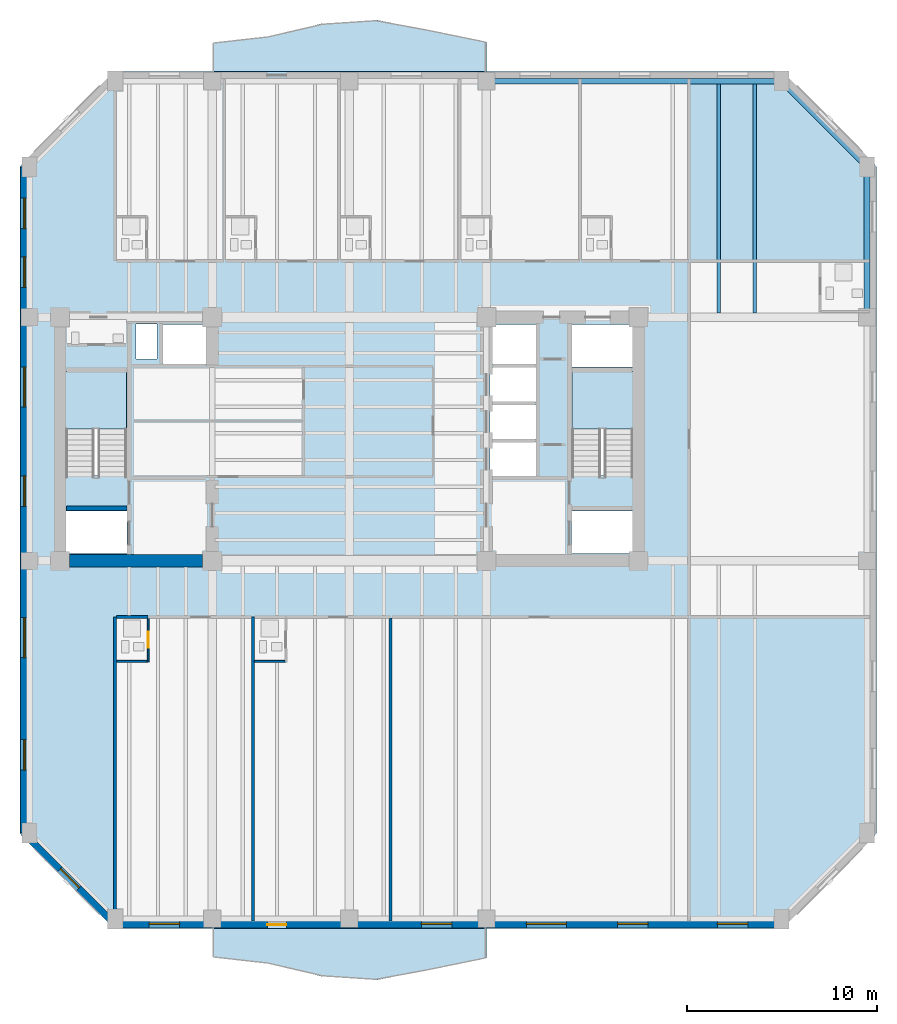
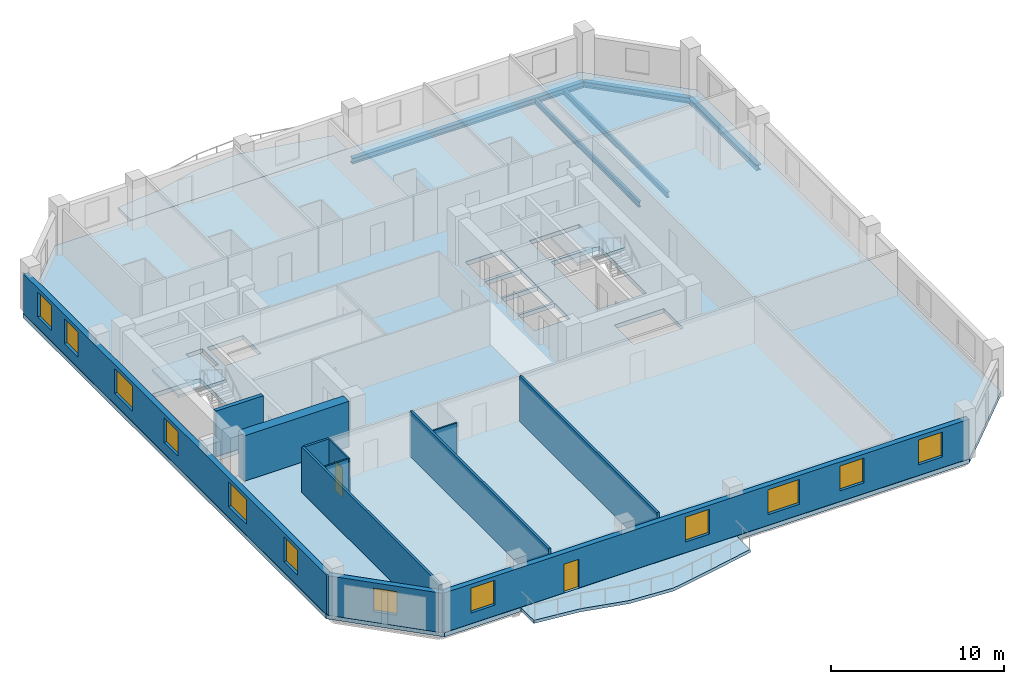
# One storey, part 2 of 9: 12 walls, 12 windows, 5 beams, 5 slabs, 2 doors, 14 openings, 2 elements without a shape of their own.
"""IFC4 building model written with IfcOpenShell, lengths in metres."""

from ifc_helpers import new_model, si_unit, direction, frame, frame_2d, origin, origin_2d, place, context, subcontext, project, spatial, polyline, rectangle, i_section, outline, extrude, material, layer, layer_set, material_profile, profile_set, type_object, element, fill, aggregate, save


model = new_model("IFC4")

# Units and contexts
model_context = context("Model", 3, precision=1e-05, world=origin(), true_north=direction((0.0, 1.0)))
body_context = subcontext(model_context, "Body", "Model", "MODEL_VIEW")
ifc_project = project(units=[si_unit("LENGTHUNIT", "METRE"), si_unit("AREAUNIT", "SQUARE_METRE"), si_unit("VOLUMEUNIT", "CUBIC_METRE"), si_unit("PLANEANGLEUNIT", "RADIAN"), si_unit("MASSUNIT", "GRAM", prefix="KILO")], contexts=[model_context])

# Site, building, storey
site_placement = place(None, origin())
site = spatial("IfcSite", under=ifc_project, at=site_placement, CompositionType="ELEMENT")
building_placement = place(site_placement, origin())
building = spatial("IfcBuilding", under=site, at=building_placement, Name="Kranthara Brick Stack", CompositionType="ELEMENT")
storey_placement = place(building_placement, frame((0.0, 0.0, 148.300048828125)))
storey = spatial("IfcBuildingStorey", under=building, at=storey_placement, Name="L37", CompositionType="ELEMENT", Elevation=148.300048828125)

# Beams
ifc_material_1 = material(Name="Steel S355", Category="steel")
ifc_material_profile_1 = material_profile(ifc_material_1, i_section(OverallWidth=0.179931640625, OverallDepth=0.39990234375, WebThickness=0.008544921875, FlangeThickness=0.013427734375, at=origin_2d()), Name="IPE 400")
ifc_profile_set_1 = profile_set([ifc_material_profile_1], Name="Steel S355")
beam_type_1 = type_object("IfcBeamType", Name="BM-JST-IPE400", PredefinedType="JOIST", material=ifc_profile_set_1)
for number, where, z_axis, x_axis, name in (
    (1, (47.39990234375, 33.824951171875, -0.5), (0.0, 1.0, 0.0), (-1.0, 0.0, 0.0), "L37 North Wing Floor Joist 073"),
    (2, (49.300048828125, 33.824951171875, -0.5), (0.0, 1.0, 0.0), (-1.0, 0.0, 0.0), "L37 North Wing Floor Joist 075"),
):
    element("IfcBeam", number, at=place(storey_placement, frame(where, z_axis=z_axis, x_axis=x_axis)), inside=storey, type_object=beam_type_1, Name=name, PredefinedType="JOIST", context=body_context, shape_type="SweptSolid", body=[
        extrude(i_section(OverallWidth=0.179931640625, OverallDepth=0.39990234375, WebThickness=0.008544921875, FlangeThickness=0.013427734375, at=origin_2d()), origin(), (0.0, 0.0, 1.0), 12.025146484375),
    ])
ifc_material_2 = material(Name="Steel S355", Category="steel")
ifc_material_profile_2 = material_profile(ifc_material_2, i_section(OverallWidth=0.300048828125, OverallDepth=0.39990234375, WebThickness=0.013427734375, FlangeThickness=0.02392578125, at=origin_2d()), Name="HEB 400")
ifc_profile_set_2 = profile_set([ifc_material_profile_2], Name="Steel S355")
beam_type_2 = type_object("IfcBeamType", Name="BM-STL-HEB400", PredefinedType="SPANDREL", material=ifc_profile_set_2)
beam_1_placement = place(storey_placement, frame((35.199951171875, 46.0, -0.5), z_axis=(1.0, 0.0, 0.0), x_axis=(0.0, 1.0, 0.0)))
element("IfcBeam", 3, at=beam_1_placement, inside=storey, type_object=beam_type_2, Name="L37 Perimeter Spandrel Beam 012", PredefinedType="SPANDREL", context=body_context, shape_type="SweptSolid", body=[
    extrude(i_section(OverallWidth=0.300048828125, OverallDepth=0.39990234375, WebThickness=0.013427734375, FlangeThickness=0.02392578125, at=origin_2d()), origin(), (0.0, 0.0, 1.0), 15.5),
])
beam_2_placement = place(storey_placement, frame((55.199951171875, 33.60009765625, -0.5), z_axis=(0.0, 1.0, 0.0), x_axis=(-1.0, 0.0, 0.0)))
element("IfcBeam", 4, at=beam_2_placement, inside=storey, type_object=beam_type_2, Name="L37 Perimeter Spandrel Beam 018", PredefinedType="SPANDREL", context=body_context, shape_type="SweptSolid", body=[
    extrude(i_section(OverallWidth=0.300048828125, OverallDepth=0.39990234375, WebThickness=0.013427734375, FlangeThickness=0.02392578125, at=origin_2d()), origin(), (0.0, 0.0, 1.0), 7.89990234375),
])
beam_3_placement = place(storey_placement, frame((50.699951171875, 46.0, -0.5), z_axis=(0.707106781187, -0.707106781187, 0.0), x_axis=(0.707106781187, 0.707106781187, 0.0)))
element("IfcBeam", 5, at=beam_3_placement, inside=storey, type_object=beam_type_2, Name="L37 Chamfer Corner Spandrel 022", PredefinedType="SPANDREL", context=body_context, shape_type="SweptSolid", body=[
    extrude(i_section(OverallWidth=0.300048828125, OverallDepth=0.39990234375, WebThickness=0.013427734375, FlangeThickness=0.02392578125, at=origin_2d()), origin(), (0.0, 0.0, 1.0), 6.364013671875),
])

# Slabs
ifc_material_3 = material(Name="Concrete C45/55", Category="concrete")
ifc_layer_1 = layer(ifc_material_3, 0.219970703125)
ifc_layer_set_1 = layer_set([ifc_layer_1], Name="Concrete C45/55")
slab_type_1 = type_object("IfcSlabType", Name="SLB-BALC-220", PredefinedType="FLOOR", material=ifc_layer_set_1)
slab_1_placement = place(storey_placement, frame((0.0, 0.0, -0.219970703125)))
element("IfcSlab", 6, at=slab_1_placement, inside=storey, type_object=slab_type_1, Name="L37 South Rippling Balcony Slab", PredefinedType="FLOOR", context=body_context, shape_type="SweptSolid", body=[
    extrude(outline(polyline([(20.800048828125, 1.5), (35.199951171875, 1.5), (35.199951171875, -0.058349609375), (32.320068359375, -0.659423828125), (29.43994140625, -1.21728515625), (26.56005859375, -1.0302734375), (23.679931640625, -0.33349609375), (20.800048828125, -0.00341796875), (20.800048828125, 1.5)])), origin(), (0.0, 0.0, 1.0), 0.219970703125),
])
slab_2_placement = place(storey_placement, frame((0.0, 0.0, -0.219970703125)))
element("IfcSlab", 7, at=slab_2_placement, inside=storey, type_object=slab_type_1, Name="L37 North Rippling Balcony Slab", PredefinedType="FLOOR", context=body_context, shape_type="SweptSolid", body=[
    extrude(outline(polyline([(35.199951171875, 46.5), (20.800048828125, 46.5), (20.800048828125, 48.00341796875), (23.679931640625, 48.33349609375), (26.56005859375, 49.0302734375), (29.43994140625, 49.21728515625), (32.320068359375, 48.659423828125), (35.199951171875, 48.058349609375), (35.199951171875, 46.5)])), origin(), (0.0, 0.0, 1.0), 0.219970703125),
])

# Stair, slab
ifc_material_4 = material(Name="Concrete C45/55", Category="concrete")
stair_type = type_object("IfcStairType", Name="ST-CORE-20R", PredefinedType="HALF_TURN_STAIR", material=ifc_material_4)
stair_1_placement = place(storey_placement, origin())
stair_1 = element("IfcStair", 8, at=stair_1_placement, inside=storey, type_object=stair_type, Name="L37 West Core Protected Exit Stair ST01", PredefinedType="HALF_TURN_STAIR")
ifc_material_5 = material(Name="Concrete C45/55", Category="concrete")
ifc_layer_2 = layer(ifc_material_5, 0.199951171875)
ifc_layer_set_2 = layer_set([ifc_layer_2], Name="Concrete C45/55")
slab_type_2 = type_object("IfcSlabType", Name="SLB-LANDING-200", PredefinedType="LANDING", material=ifc_layer_set_2)
slab_3_placement = place(storey_placement, frame((0.0, 0.0, 1.550048828125)))
slab_3 = element("IfcSlab", 9, at=slab_3_placement, type_object=slab_type_2, Name="ST01 landing 1", PredefinedType="LANDING", context=body_context, shape_type="SweptSolid", body=[
    extrude(outline(polyline([(16.300048828125, 27.719970703125), (16.300048828125, 30.75), (13.10009765625, 30.75), (13.10009765625, 27.719970703125), (16.300048828125, 27.719970703125)])), origin(), (0.0, 0.0, 1.0), 0.199951171875),
])
aggregate(stair_1, [slab_3])

stair_2_placement = place(storey_placement, origin())
stair_2 = element("IfcStair", 10, at=stair_2_placement, inside=storey, type_object=stair_type, Name="L37 East Core Protected Exit Stair ST02", PredefinedType="HALF_TURN_STAIR")
slab_4_placement = place(storey_placement, frame((0.0, 0.0, 1.550048828125)))
slab_4 = element("IfcSlab", 11, at=slab_4_placement, type_object=slab_type_2, Name="ST02 landing 1", PredefinedType="LANDING", context=body_context, shape_type="SweptSolid", body=[
    extrude(outline(polyline([(42.89990234375, 27.719970703125), (42.89990234375, 30.75), (39.699951171875, 30.75), (39.699951171875, 27.719970703125), (42.89990234375, 27.719970703125)])), origin(), (0.0, 0.0, 1.0), 0.199951171875),
])
aggregate(stair_2, [slab_4])

# Slab
ifc_material_6 = material(Name="Post-tensioned concrete C45/55", Category="concrete")
ifc_layer_3 = layer(ifc_material_6, 0.300048828125)
ifc_layer_set_3 = layer_set([ifc_layer_3], Name="Post-tensioned concrete C45/55")
slab_type_3 = type_object("IfcSlabType", Name="SLB-TWR-300", PredefinedType="FLOOR", material=ifc_layer_set_3)
slab_5_placement = place(storey_placement, frame((0.0, 0.0, -0.300048828125)))
element("IfcSlab", 12, at=slab_5_placement, inside=storey, type_object=slab_type_3, Name="L37 Structural Floor Plate", PredefinedType="FLOOR", context=body_context, shape_type="SweptSolid", body=[
    extrude(outline(polyline([(15.699951171875, 1.5), (50.699951171875, 1.5), (55.699951171875, 6.5), (55.699951171875, 41.5), (50.699951171875, 46.5), (15.699951171875, 46.5), (10.699951171875, 41.5), (10.699951171875, 6.5), (15.699951171875, 1.5)]), holes=[polyline([(13.10009765625, 25.280029296875), (16.300048828125, 25.280029296875), (16.300048828125, 30.75), (13.10009765625, 30.75), (13.10009765625, 25.280029296875)]), polyline([(39.699951171875, 25.280029296875), (42.89990234375, 25.280029296875), (42.89990234375, 30.75), (39.699951171875, 30.75), (39.699951171875, 25.280029296875)]), polyline([(13.0, 21.179931640625), (16.320068359375, 21.179931640625), (16.320068359375, 23.419921875), (13.0, 23.419921875), (13.0, 21.179931640625)]), polyline([(39.679931640625, 21.179931640625), (43.0, 21.179931640625), (43.0, 23.419921875), (39.679931640625, 23.419921875), (39.679931640625, 21.179931640625)]), polyline([(39.679931640625, 30.97998046875), (43.0, 30.97998046875), (43.0, 33.219970703125), (39.679931640625, 33.219970703125), (39.679931640625, 30.97998046875)]), polyline([(35.39990234375, 25.25), (37.800048828125, 25.25), (37.800048828125, 27.050048828125), (35.39990234375, 27.050048828125), (35.39990234375, 25.25)]), polyline([(35.39990234375, 27.199951171875), (37.800048828125, 27.199951171875), (37.800048828125, 29.0), (35.39990234375, 29.0), (35.39990234375, 27.199951171875)]), polyline([(35.39990234375, 29.14990234375), (37.800048828125, 29.14990234375), (37.800048828125, 30.949951171875), (35.39990234375, 30.949951171875), (35.39990234375, 29.14990234375)]), polyline([(18.199951171875, 31.14990234375), (20.60009765625, 31.14990234375), (20.60009765625, 33.219970703125), (18.199951171875, 33.219970703125), (18.199951171875, 31.14990234375)]), polyline([(35.39990234375, 31.14990234375), (37.800048828125, 31.14990234375), (37.800048828125, 33.219970703125), (35.39990234375, 33.219970703125), (35.39990234375, 31.14990234375)]), polyline([(16.800048828125, 31.39990234375), (17.89990234375, 31.39990234375), (17.89990234375, 33.25), (16.800048828125, 33.25), (16.800048828125, 31.39990234375)])]), origin(), (0.0, 0.0, 1.0), 0.300048828125),
])

# Wall, openings, door, windows
ifc_material_7 = material(Name="Kiln-fired clay brick masonry M15", Category="masonry")
ifc_layer_4 = layer(ifc_material_7, 0.35009765625)
ifc_layer_set_4 = layer_set([ifc_layer_4], Name="Kiln-fired clay brick masonry M15")
wall_type_1 = type_object("IfcWallType", Name="WL-BRK-SPND-350", PredefinedType="STANDARD", material=ifc_layer_set_4)
wall_1_placement = place(storey_placement, frame((50.699951171875, 1.695068359375, 0.0), z_axis=(0.0, 0.0, 1.0), x_axis=(-1.0, 0.0, 0.0)))
wall_1 = element("IfcWall", 13, at=wall_1_placement, inside=storey, type_object=wall_type_1, Name="L37 Exterior Brick Facade Wall SOUTH 1", PredefinedType="STANDARD", context=body_context, shape_type="SweptSolid", body=[
    extrude(rectangle(XDim=35.0, YDim=0.35009765625, at=frame_2d((17.5, 0.0))), origin(), (0.0, 0.0, 1.0), 2.784912109375),
])
opening_1_placement = place(wall_1_placement, frame((26.0, 0.0, 0.0)))
opening_1 = element("IfcOpeningElement", 14, at=opening_1_placement, cuts=wall_1, Name="Opening D03", PredefinedType="OPENING", context=body_context, shape_type="SweptSolid", body=[
    extrude(rectangle(XDim=1.0, YDim=2.02001953125, at=frame_2d((0.5, 1.010009765625))), frame((0.0, 0.18505859375, 0.0), z_axis=(0.0, -1.0, 0.0), x_axis=(1.0, 0.0, 0.0)), (0.0, 0.0, 1.0), 0.3701171875),
])
opening_2_placement = place(wall_1_placement, frame((1.762939453125, 0.0, 0.75)))
opening_2 = element("IfcOpeningElement", 15, at=opening_2_placement, cuts=wall_1, Name="Opening WN04", PredefinedType="OPENING", context=body_context, shape_type="SweptSolid", body=[
    extrude(rectangle(XDim=1.60009765625, YDim=1.75, at=frame_2d((0.800048828125, 0.875))), frame((0.0, 0.18505859375, 0.0), z_axis=(0.0, -1.0, 0.0), x_axis=(1.0, 0.0, 0.0)), (0.0, 0.0, 1.0), 0.3701171875),
])
opening_3_placement = place(wall_1_placement, frame((7.007080078125, 0.0, 0.75)))
opening_3 = element("IfcOpeningElement", 16, at=opening_3_placement, cuts=wall_1, Name="Opening WN04", PredefinedType="OPENING", context=body_context, shape_type="SweptSolid", body=[
    extrude(rectangle(XDim=1.60009765625, YDim=1.75, at=frame_2d((0.800048828125, 0.875))), frame((0.0, 0.18505859375, 0.0), z_axis=(0.0, -1.0, 0.0), x_axis=(1.0, 0.0, 0.0)), (0.0, 0.0, 1.0), 0.3701171875),
])
opening_4_placement = place(wall_1_placement, frame((11.29296875, 0.0, 0.75)))
opening_4 = element("IfcOpeningElement", 17, at=opening_4_placement, cuts=wall_1, Name="Opening WN05", PredefinedType="OPENING", context=body_context, shape_type="SweptSolid", body=[
    extrude(rectangle(XDim=2.10009765625, YDim=1.75, at=frame_2d((1.050048828125, 0.875))), frame((0.0, 0.18505859375, 0.0), z_axis=(0.0, -1.0, 0.0), x_axis=(1.0, 0.0, 0.0)), (0.0, 0.0, 1.0), 0.3701171875),
])
opening_5_placement = place(wall_1_placement, frame((17.31396484375, 0.0, 0.75)))
opening_5 = element("IfcOpeningElement", 18, at=opening_5_placement, cuts=wall_1, Name="Opening WN04", PredefinedType="OPENING", context=body_context, shape_type="SweptSolid", body=[
    extrude(rectangle(XDim=1.60009765625, YDim=1.75, at=frame_2d((0.800048828125, 0.875))), frame((0.0, 0.18505859375, 0.0), z_axis=(0.0, -1.0, 0.0), x_axis=(1.0, 0.0, 0.0)), (0.0, 0.0, 1.0), 0.3701171875),
])
opening_6_placement = place(wall_1_placement, frame((31.613037109375, 0.0, 0.75)))
opening_6 = element("IfcOpeningElement", 19, at=opening_6_placement, cuts=wall_1, Name="Opening WN04", PredefinedType="OPENING", context=body_context, shape_type="SweptSolid", body=[
    extrude(rectangle(XDim=1.60009765625, YDim=1.75, at=frame_2d((0.800048828125, 0.875))), frame((0.0, 0.18505859375, 0.0), z_axis=(0.0, -1.0, 0.0), x_axis=(1.0, 0.0, 0.0)), (0.0, 0.0, 1.0), 0.3701171875),
])
ifc_material_8 = material(Name="Bronze anodised aluminium and laminated glass", Category="aluminium")
door_type_1 = type_object("IfcDoorType", Name="DR-BALC-1000", OperationType="NOTDEFINED", PredefinedType="DOOR", material=ifc_material_8)
door_1_placement = place(opening_1_placement, origin())
door_1 = element("IfcDoor", 20, at=door_1_placement, inside=storey, type_object=door_type_1, Name="L37 South Balcony Terrace Door", OperationType="SINGLE_SWING_LEFT", OverallHeight=2.02001953125, OverallWidth=1.0, PredefinedType="DOOR", context=body_context, shape_type="SweptSolid", body=[
    extrude(rectangle(XDim=1.0, YDim=2.02001953125, at=frame_2d((0.5, 1.010009765625))), frame((0.0, 0.02490234375, 0.0), z_axis=(0.0, -1.0, 0.0), x_axis=(1.0, 0.0, 0.0)), (0.0, 0.0, 1.0), 0.050048828125),
])
fill(opening_1, door_1)
ifc_material_9 = material(Name="Double-glazed low-E solar control glass", Category="glass")
window_type_1 = type_object("IfcWindowType", Name="WN-HTL-1600x1850", PartitioningType="DOUBLE_PANEL_VERTICAL", PredefinedType="WINDOW", material=ifc_material_9)
window_1_placement = place(opening_2_placement, origin())
window_1 = element("IfcWindow", 21, at=window_1_placement, inside=storey, type_object=window_type_1, Name="L37 South Deep-Set Brick Window 01", OverallHeight=1.75, OverallWidth=1.60009765625, PartitioningType="SINGLE_PANEL", PredefinedType="WINDOW", context=body_context, shape_type="SweptSolid", body=[
    extrude(rectangle(XDim=1.60009765625, YDim=1.75, at=frame_2d((0.800048828125, 0.875))), frame((0.0, -0.010009765625, 0.0), z_axis=(0.0, -1.0, 0.0), x_axis=(1.0, 0.0, 0.0)), (0.0, 0.0, 1.0), 0.06005859375),
])
fill(opening_2, window_1)
window_2_placement = place(opening_3_placement, origin())
window_2 = element("IfcWindow", 22, at=window_2_placement, inside=storey, type_object=window_type_1, Name="L37 South Deep-Set Brick Window 02", OverallHeight=1.75, OverallWidth=1.60009765625, PartitioningType="SINGLE_PANEL", PredefinedType="WINDOW", context=body_context, shape_type="SweptSolid", body=[
    extrude(rectangle(XDim=1.60009765625, YDim=1.75, at=frame_2d((0.800048828125, 0.875))), frame((0.0, -0.010009765625, 0.0), z_axis=(0.0, -1.0, 0.0), x_axis=(1.0, 0.0, 0.0)), (0.0, 0.0, 1.0), 0.06005859375),
])
fill(opening_3, window_2)
window_3_placement = place(opening_5_placement, origin())
window_3 = element("IfcWindow", 23, at=window_3_placement, inside=storey, type_object=window_type_1, Name="L37 South Deep-Set Brick Window 04", OverallHeight=1.75, OverallWidth=1.60009765625, PartitioningType="SINGLE_PANEL", PredefinedType="WINDOW", context=body_context, shape_type="SweptSolid", body=[
    extrude(rectangle(XDim=1.60009765625, YDim=1.75, at=frame_2d((0.800048828125, 0.875))), frame((0.0, -0.010009765625, 0.0), z_axis=(0.0, -1.0, 0.0), x_axis=(1.0, 0.0, 0.0)), (0.0, 0.0, 1.0), 0.06005859375),
])
fill(opening_5, window_3)
window_4_placement = place(opening_6_placement, origin())
window_4 = element("IfcWindow", 24, at=window_4_placement, inside=storey, type_object=window_type_1, Name="L37 South Deep-Set Brick Window 05", OverallHeight=1.75, OverallWidth=1.60009765625, PartitioningType="SINGLE_PANEL", PredefinedType="WINDOW", context=body_context, shape_type="SweptSolid", body=[
    extrude(rectangle(XDim=1.60009765625, YDim=1.75, at=frame_2d((0.800048828125, 0.875))), frame((0.0, -0.010009765625, 0.0), z_axis=(0.0, -1.0, 0.0), x_axis=(1.0, 0.0, 0.0)), (0.0, 0.0, 1.0), 0.06005859375),
])
fill(opening_6, window_4)
ifc_material_10 = material(Name="Double-glazed low-E solar control glass", Category="glass")
window_type_2 = type_object("IfcWindowType", Name="WN-HTL-2100x1850", PartitioningType="DOUBLE_PANEL_VERTICAL", PredefinedType="WINDOW", material=ifc_material_10)
window_5_placement = place(opening_4_placement, origin())
window_5 = element("IfcWindow", 25, at=window_5_placement, inside=storey, type_object=window_type_2, Name="L37 South Deep-Set Brick Window 03", OverallHeight=1.75, OverallWidth=2.10009765625, PartitioningType="SINGLE_PANEL", PredefinedType="WINDOW", context=body_context, shape_type="SweptSolid", body=[
    extrude(rectangle(XDim=2.10009765625, YDim=1.75, at=frame_2d((1.050048828125, 0.875))), frame((0.0, -0.010009765625, 0.0), z_axis=(0.0, -1.0, 0.0), x_axis=(1.0, 0.0, 0.0)), (0.0, 0.0, 1.0), 0.06005859375),
])
fill(opening_4, window_5)

# Wall, opening, window
wall_2_placement = place(storey_placement, frame((15.699951171875, 1.695068359375, 0.0), z_axis=(0.0, 0.0, 1.0), x_axis=(-0.707106781187, 0.707106781187, 0.0)))
wall_2 = element("IfcWall", 26, at=wall_2_placement, inside=storey, type_object=wall_type_1, Name="L37 Exterior Brick Facade Wall SW 1", PredefinedType="STANDARD", context=body_context, shape_type="SweptSolid", body=[
    extrude(rectangle(XDim=6.795166015625, YDim=0.35009765625, at=frame_2d((3.3974609375, 0.0))), origin(), (0.0, 0.0, 1.0), 2.784912109375),
])
opening_7_placement = place(wall_2_placement, frame((2.697998046875, 0.0, 0.75)))
opening_7 = element("IfcOpeningElement", 27, at=opening_7_placement, cuts=wall_2, Name="Opening WN10", PredefinedType="OPENING", context=body_context, shape_type="SweptSolid", body=[
    extrude(rectangle(XDim=1.39990234375, YDim=1.64990234375, at=frame_2d((0.699951171875, 0.824951171875))), frame((0.0, 0.18505859375, 0.0), z_axis=(0.0, -1.0, 0.0), x_axis=(1.0, 0.0, 0.0)), (0.0, 0.0, 1.0), 0.3701171875),
])
ifc_material_11 = material(Name="Double-glazed low-E solar control glass", Category="glass")
window_type_3 = type_object("IfcWindowType", Name="WN-CHM-1400x1750", PartitioningType="SINGLE_PANEL", PredefinedType="WINDOW", material=ifc_material_11)
window_6_placement = place(opening_7_placement, origin())
window_6 = element("IfcWindow", 28, at=window_6_placement, inside=storey, type_object=window_type_3, Name="L37 SW Chamfer Corner Window", OverallHeight=1.64990234375, OverallWidth=1.39990234375, PartitioningType="SINGLE_PANEL", PredefinedType="WINDOW", context=body_context, shape_type="SweptSolid", body=[
    extrude(rectangle(XDim=1.39990234375, YDim=1.64990234375, at=frame_2d((0.699951171875, 0.824951171875))), frame((0.0, -0.010009765625, 0.0), z_axis=(0.0, -1.0, 0.0), x_axis=(1.0, 0.0, 0.0)), (0.0, 0.0, 1.0), 0.06005859375),
])
fill(opening_7, window_6)

# Wall, openings, windows
wall_3_placement = place(storey_placement, frame((10.89501953125, 6.5, 0.0), z_axis=(0.0, 0.0, 1.0), x_axis=(0.0, 1.0, 0.0)))
wall_3 = element("IfcWall", 29, at=wall_3_placement, inside=storey, type_object=wall_type_1, Name="L37 Exterior Brick Facade Wall WEST 1", PredefinedType="STANDARD", context=body_context, shape_type="SweptSolid", body=[
    extrude(rectangle(XDim=35.0, YDim=0.35009765625, at=frame_2d((17.5, 0.0))), origin(), (0.0, 0.0, 1.0), 2.784912109375),
])
opening_8_placement = place(wall_3_placement, frame((3.31005859375, 0.0, 0.75)))
opening_8 = element("IfcOpeningElement", 30, at=opening_8_placement, cuts=wall_3, Name="Opening WN04", PredefinedType="OPENING", context=body_context, shape_type="SweptSolid", body=[
    extrude(rectangle(XDim=1.60009765625, YDim=1.75, at=frame_2d((0.800048828125, 0.875))), frame((0.0, 0.18505859375, 0.0), z_axis=(0.0, -1.0, 0.0), x_axis=(1.0, 0.0, 0.0)), (0.0, 0.0, 1.0), 0.3701171875),
])
opening_9_placement = place(wall_3_placement, frame((9.216064453125, 0.0, 0.75)))
opening_9 = element("IfcOpeningElement", 31, at=opening_9_placement, cuts=wall_3, Name="Opening WN05", PredefinedType="OPENING", context=body_context, shape_type="SweptSolid", body=[
    extrude(rectangle(XDim=2.10009765625, YDim=1.75, at=frame_2d((1.050048828125, 0.875))), frame((0.0, 0.18505859375, 0.0), z_axis=(0.0, -1.0, 0.0), x_axis=(1.0, 0.0, 0.0)), (0.0, 0.0, 1.0), 0.3701171875),
])
opening_10_placement = place(wall_3_placement, frame((17.1640625, 0.0, 0.75)))
opening_10 = element("IfcOpeningElement", 32, at=opening_10_placement, cuts=wall_3, Name="Opening WN04", PredefinedType="OPENING", context=body_context, shape_type="SweptSolid", body=[
    extrude(rectangle(XDim=1.60009765625, YDim=1.75, at=frame_2d((0.800048828125, 0.875))), frame((0.0, 0.18505859375, 0.0), z_axis=(0.0, -1.0, 0.0), x_axis=(1.0, 0.0, 0.0)), (0.0, 0.0, 1.0), 0.3701171875),
])
opening_11_placement = place(wall_3_placement, frame((22.385986328125, 0.0, 0.75)))
opening_11 = element("IfcOpeningElement", 33, at=opening_11_placement, cuts=wall_3, Name="Opening WN05", PredefinedType="OPENING", context=body_context, shape_type="SweptSolid", body=[
    extrude(rectangle(XDim=2.10009765625, YDim=1.75, at=frame_2d((1.050048828125, 0.875))), frame((0.0, 0.18505859375, 0.0), z_axis=(0.0, -1.0, 0.0), x_axis=(1.0, 0.0, 0.0)), (0.0, 0.0, 1.0), 0.3701171875),
])
opening_12_placement = place(wall_3_placement, frame((28.6708984375, 0.0, 0.75)))
opening_12 = element("IfcOpeningElement", 34, at=opening_12_placement, cuts=wall_3, Name="Opening WN04", PredefinedType="OPENING", context=body_context, shape_type="SweptSolid", body=[
    extrude(rectangle(XDim=1.60009765625, YDim=1.75, at=frame_2d((0.800048828125, 0.875))), frame((0.0, 0.18505859375, 0.0), z_axis=(0.0, -1.0, 0.0), x_axis=(1.0, 0.0, 0.0)), (0.0, 0.0, 1.0), 0.3701171875),
])
opening_13_placement = place(wall_3_placement, frame((31.7548828125, 0.0, 0.75)))
opening_13 = element("IfcOpeningElement", 35, at=opening_13_placement, cuts=wall_3, Name="Opening WN04", PredefinedType="OPENING", context=body_context, shape_type="SweptSolid", body=[
    extrude(rectangle(XDim=1.60009765625, YDim=1.75, at=frame_2d((0.800048828125, 0.875))), frame((0.0, 0.18505859375, 0.0), z_axis=(0.0, -1.0, 0.0), x_axis=(1.0, 0.0, 0.0)), (0.0, 0.0, 1.0), 0.3701171875),
])
window_7_placement = place(opening_8_placement, origin())
window_7 = element("IfcWindow", 36, at=window_7_placement, inside=storey, type_object=window_type_1, Name="L37 West Deep-Set Brick Window 01", OverallHeight=1.75, OverallWidth=1.60009765625, PartitioningType="SINGLE_PANEL", PredefinedType="WINDOW", context=body_context, shape_type="SweptSolid", body=[
    extrude(rectangle(XDim=1.60009765625, YDim=1.75, at=frame_2d((0.800048828125, 0.875))), frame((0.0, -0.010009765625, 0.0), z_axis=(0.0, -1.0, 0.0), x_axis=(1.0, 0.0, 0.0)), (0.0, 0.0, 1.0), 0.06005859375),
])
fill(opening_8, window_7)
window_8_placement = place(opening_10_placement, origin())
window_8 = element("IfcWindow", 37, at=window_8_placement, inside=storey, type_object=window_type_1, Name="L37 West Deep-Set Brick Window 03", OverallHeight=1.75, OverallWidth=1.60009765625, PartitioningType="SINGLE_PANEL", PredefinedType="WINDOW", context=body_context, shape_type="SweptSolid", body=[
    extrude(rectangle(XDim=1.60009765625, YDim=1.75, at=frame_2d((0.800048828125, 0.875))), frame((0.0, -0.010009765625, 0.0), z_axis=(0.0, -1.0, 0.0), x_axis=(1.0, 0.0, 0.0)), (0.0, 0.0, 1.0), 0.06005859375),
])
fill(opening_10, window_8)
window_9_placement = place(opening_12_placement, origin())
window_9 = element("IfcWindow", 38, at=window_9_placement, inside=storey, type_object=window_type_1, Name="L37 West Deep-Set Brick Window 05", OverallHeight=1.75, OverallWidth=1.60009765625, PartitioningType="SINGLE_PANEL", PredefinedType="WINDOW", context=body_context, shape_type="SweptSolid", body=[
    extrude(rectangle(XDim=1.60009765625, YDim=1.75, at=frame_2d((0.800048828125, 0.875))), frame((0.0, -0.010009765625, 0.0), z_axis=(0.0, -1.0, 0.0), x_axis=(1.0, 0.0, 0.0)), (0.0, 0.0, 1.0), 0.06005859375),
])
fill(opening_12, window_9)
window_10_placement = place(opening_13_placement, origin())
window_10 = element("IfcWindow", 39, at=window_10_placement, inside=storey, type_object=window_type_1, Name="L37 West Deep-Set Brick Window 06", OverallHeight=1.75, OverallWidth=1.60009765625, PartitioningType="SINGLE_PANEL", PredefinedType="WINDOW", context=body_context, shape_type="SweptSolid", body=[
    extrude(rectangle(XDim=1.60009765625, YDim=1.75, at=frame_2d((0.800048828125, 0.875))), frame((0.0, -0.010009765625, 0.0), z_axis=(0.0, -1.0, 0.0), x_axis=(1.0, 0.0, 0.0)), (0.0, 0.0, 1.0), 0.06005859375),
])
fill(opening_13, window_10)
window_11_placement = place(opening_9_placement, origin())
window_11 = element("IfcWindow", 40, at=window_11_placement, inside=storey, type_object=window_type_2, Name="L37 West Deep-Set Brick Window 02", OverallHeight=1.75, OverallWidth=2.10009765625, PartitioningType="SINGLE_PANEL", PredefinedType="WINDOW", context=body_context, shape_type="SweptSolid", body=[
    extrude(rectangle(XDim=2.10009765625, YDim=1.75, at=frame_2d((1.050048828125, 0.875))), frame((0.0, -0.010009765625, 0.0), z_axis=(0.0, -1.0, 0.0), x_axis=(1.0, 0.0, 0.0)), (0.0, 0.0, 1.0), 0.06005859375),
])
fill(opening_9, window_11)
window_12_placement = place(opening_11_placement, origin())
window_12 = element("IfcWindow", 41, at=window_12_placement, inside=storey, type_object=window_type_2, Name="L37 West Deep-Set Brick Window 04", OverallHeight=1.75, OverallWidth=2.10009765625, PartitioningType="SINGLE_PANEL", PredefinedType="WINDOW", context=body_context, shape_type="SweptSolid", body=[
    extrude(rectangle(XDim=2.10009765625, YDim=1.75, at=frame_2d((1.050048828125, 0.875))), frame((0.0, -0.010009765625, 0.0), z_axis=(0.0, -1.0, 0.0), x_axis=(1.0, 0.0, 0.0)), (0.0, 0.0, 1.0), 0.06005859375),
])
fill(opening_11, window_12)

# Walls
ifc_material_12 = material(Name="Concrete C50/60", Category="concrete")
ifc_layer_5 = layer(ifc_material_12, 0.25)
ifc_layer_set_5 = layer_set([ifc_layer_5], Name="Concrete C50/60")
wall_type_2 = type_object("IfcWallType", Name="WL-CORE-250", PredefinedType="SHEAR", material=ifc_layer_set_5)
wall_4_placement = place(storey_placement, frame((13.135009765625, 23.570068359375, 0.0), z_axis=(0.0, 0.0, 1.0), x_axis=(1.0, 0.0, 0.0)))
element("IfcWall", 42, at=wall_4_placement, inside=storey, type_object=wall_type_2, Name="L37 West Stairwell Bearing Wall WFF", PredefinedType="SHEAR", context=body_context, shape_type="SweptSolid", body=[
    extrude(rectangle(XDim=3.175048828125, YDim=0.25, at=frame_2d((1.58740234375, 0.0))), origin(), (0.0, 0.0, 1.0), 3.199951171875),
])
ifc_material_13 = material(Name="Concrete C60/75", Category="concrete")
ifc_layer_6 = layer(ifc_material_13, 0.64990234375)
ifc_layer_set_6 = layer_set([ifc_layer_6], Name="Concrete C60/75")
wall_type_3 = type_object("IfcWallType", Name="WL-CORE-650", PredefinedType="SHEAR", material=ifc_layer_set_6)
wall_5_placement = place(storey_placement, frame((13.304931640625, 20.800048828125, 0.0), z_axis=(0.0, 0.0, 1.0), x_axis=(1.0, 0.0, 0.0)))
element("IfcWall", 43, at=wall_5_placement, inside=storey, type_object=wall_type_3, Name="L37 West Core Shear Wall South", PredefinedType="SHEAR", context=body_context, shape_type="SweptSolid", body=[
    extrude(rectangle(XDim=6.989990234375, YDim=0.64990234375, at=frame_2d((3.4951171875, 0.0))), origin(), (0.0, 0.0, 1.0), 3.199951171875),
])

# Wall, opening, door
ifc_material_14 = material(Name="Moisture-resistant wet-room partition", Category="other")
ifc_layer_7 = layer(ifc_material_14, 0.10009765625)
ifc_layer_set_7 = layer_set([ifc_layer_7], Name="Moisture-resistant wet-room partition")
wall_type_4 = type_object("IfcWallType", Name="WL-PART-100", PredefinedType="PARTITIONING", material=ifc_layer_set_7)
wall_6_placement = place(storey_placement, frame((17.4365234375, 15.52001953125, 0.0), z_axis=(0.0, 0.0, 1.0), x_axis=(0.0, 1.0, 0.0)))
wall_6 = element("IfcWall", 44, at=wall_6_placement, inside=storey, type_object=wall_type_4, Name="L37 Interior Partition 013", PredefinedType="PARTITIONING", context=body_context, shape_type="SweptSolid", body=[
    extrude(rectangle(XDim=2.25, YDim=0.10009765625, at=frame_2d((1.125, 0.0))), origin(), (0.0, 0.0, 1.0), 3.199951171875),
])
opening_14_placement = place(wall_6_placement, frame((0.719970703125, 0.0, 0.0)))
opening_14 = element("IfcOpeningElement", 45, at=opening_14_placement, cuts=wall_6, Name="Opening D17", PredefinedType="OPENING", context=body_context, shape_type="SweptSolid", body=[
    extrude(rectangle(XDim=0.85009765625, YDim=2.050048828125, at=frame_2d((0.425048828125, 1.02490234375))), frame((0.0, 0.06005859375, 0.0), z_axis=(0.0, -1.0, 0.0), x_axis=(1.0, 0.0, 0.0)), (0.0, 0.0, 1.0), 0.1201171875),
])
ifc_material_15 = material(Name="Solid-core hardwood timber leaf in steel frame", Category="steel")
door_type_2 = type_object("IfcDoorType", Name="DR-WET-850", OperationType="NOTDEFINED", PredefinedType="DOOR", material=ifc_material_15)
door_2_placement = place(opening_14_placement, origin())
door_2 = element("IfcDoor", 46, at=door_2_placement, inside=storey, type_object=door_type_2, Name="L37 Key 01 En-Suite Door 07", OperationType="SINGLE_SWING_LEFT", OverallHeight=2.050048828125, OverallWidth=0.85009765625, PredefinedType="DOOR", context=body_context, shape_type="SweptSolid", body=[
    extrude(rectangle(XDim=0.85009765625, YDim=2.050048828125, at=frame_2d((0.425048828125, 1.02490234375))), frame((0.0, 0.02490234375, 0.0), z_axis=(0.0, -1.0, 0.0), x_axis=(1.0, 0.0, 0.0)), (0.0, 0.0, 1.0), 0.050048828125),
])
fill(opening_14, door_2)

# Walls
for number, where, z_axis, x_axis, name in (
    (47, (15.780029296875, 15.52001953125, 0.0), (0.0, 0.0, 1.0), (1.0, 0.0, 0.0), "L37 Interior Partition 014"),
    (48, (23.01611328125, 15.52001953125, 0.0), (0.0, 0.0, 1.0), (1.0, 0.0, 0.0), "L37 Interior Partition 018"),
):
    element("IfcWall", number, at=place(storey_placement, frame(where, z_axis=z_axis, x_axis=x_axis)), inside=storey, type_object=wall_type_4, Name=name, PredefinedType="PARTITIONING", context=body_context, shape_type="SweptSolid", body=[
        extrude(rectangle(XDim=1.6015625, YDim=0.10009765625, at=frame_2d((0.80078125, 0.0))), origin(), (0.0, 0.0, 1.0), 3.199951171875),
    ])
ifc_material_16 = material(Name="Fire-rated gypsum board partition", Category="other")
ifc_layer_8 = layer(ifc_material_16, 0.14990234375)
ifc_layer_set_8 = layer_set([ifc_layer_8], Name="Fire-rated gypsum board partition")
wall_type_5 = type_object("IfcWallType", Name="WL-PART-150", PredefinedType="PARTITIONING", material=ifc_layer_set_8)
for number, where, z_axis, x_axis, name in (
    (49, (15.699951171875, 1.875, 0.0), (0.0, 0.0, 1.0), (0.0, 1.0, 0.0), "L37 Interior Partition 009"),
    (50, (22.93603515625, 1.875, 0.0), (0.0, 0.0, 1.0), (0.0, 1.0, 0.0), "L37 Interior Partition 010"),
):
    element("IfcWall", number, at=place(storey_placement, frame(where, z_axis=z_axis, x_axis=x_axis)), inside=storey, type_object=wall_type_5, Name=name, PredefinedType="PARTITIONING", context=body_context, shape_type="SweptSolid", body=[
        extrude(rectangle(XDim=15.97509765625, YDim=0.14990234375, at=frame_2d((7.987548828125, 0.0))), origin(), (0.0, 0.0, 1.0), 3.199951171875),
    ])
wall_7_placement = place(storey_placement, frame((15.780029296875, 17.85009765625, 0.0), z_axis=(0.0, 0.0, 1.0), x_axis=(1.0, 0.0, 0.0)))
element("IfcWall", 51, at=wall_7_placement, inside=storey, type_object=wall_type_5, Name="L37 Interior Partition 011", PredefinedType="PARTITIONING", context=body_context, shape_type="SweptSolid", body=[
    extrude(rectangle(XDim=1.656494140625, YDim=0.14990234375, at=frame_2d((0.828125, 0.0))), origin(), (0.0, 0.0, 1.0), 3.199951171875),
])
wall_8_placement = place(storey_placement, frame((30.172119140625, 1.875, 0.0), z_axis=(0.0, 0.0, 1.0), x_axis=(0.0, 1.0, 0.0)))
element("IfcWall", 52, at=wall_8_placement, inside=storey, type_object=wall_type_5, Name="L37 Interior Partition 019", PredefinedType="PARTITIONING", context=body_context, shape_type="SweptSolid", body=[
    extrude(rectangle(XDim=15.89501953125, YDim=0.14990234375, at=frame_2d((7.947509765625, 0.0))), origin(), (0.0, 0.0, 1.0), 3.199951171875),
])

save(model, "model.ifc")
